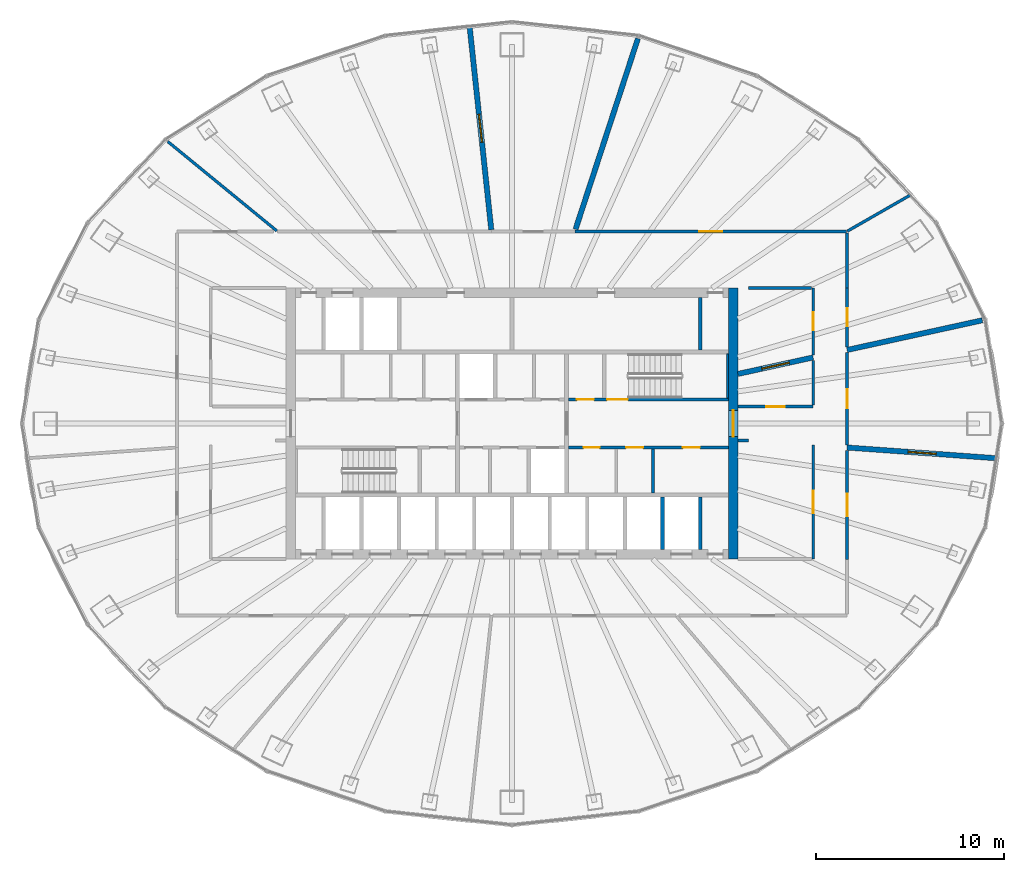
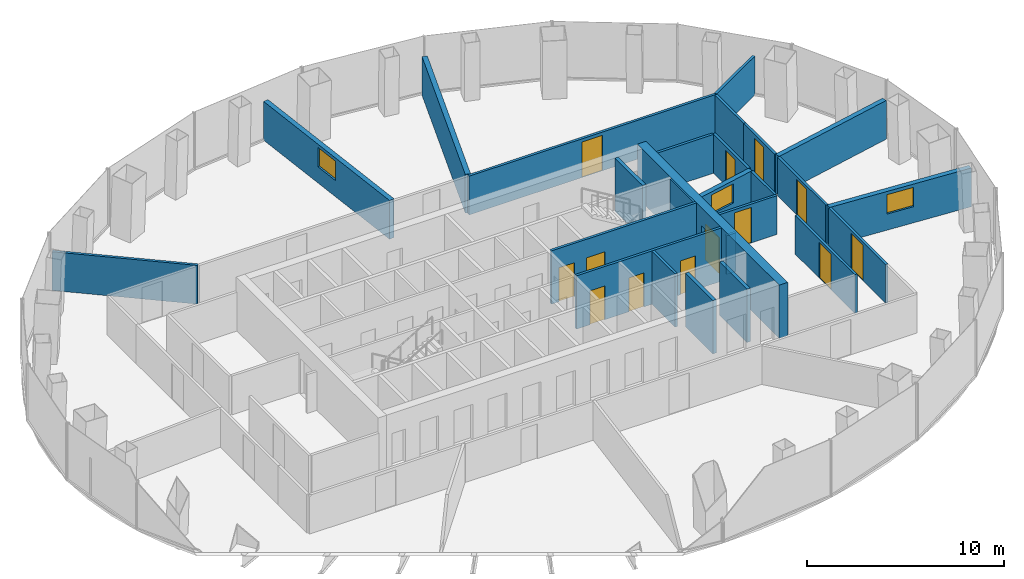
# One storey, part 10 of 12: 26 walls, 13 doors, 3 windows, 16 openings.
"""IFC4 building model written with IfcOpenShell, lengths in metres."""

from ifc_helpers import new_model, si_unit, direction, frame, frame_2d, origin, place, context, subcontext, project, spatial, rectangle, extrude, material, layer, layer_set, type_object, element, fill, save


model = new_model("IFC4")

# Units and contexts
model_context = context("Model", 3, precision=1e-05, world=origin(), true_north=direction((0.0, 1.0)))
body_context = subcontext(model_context, "Body", "Model", "MODEL_VIEW")
ifc_project = project(units=[si_unit("LENGTHUNIT", "METRE"), si_unit("AREAUNIT", "SQUARE_METRE"), si_unit("VOLUMEUNIT", "CUBIC_METRE"), si_unit("PLANEANGLEUNIT", "RADIAN"), si_unit("MASSUNIT", "GRAM", prefix="KILO")], contexts=[model_context])

# Site, building, storey
site_placement = place(None, origin())
site = spatial("IfcSite", under=ifc_project, at=site_placement, CompositionType="ELEMENT")
building_placement = place(site_placement, origin())
building = spatial("IfcBuilding", under=site, at=building_placement, Name="Siaravel Broadcast Tower", CompositionType="ELEMENT")
storey_placement = place(building_placement, frame((0.0, 0.0, 104.5)))
storey = spatial("IfcBuildingStorey", under=building, at=storey_placement, Name="L24", CompositionType="ELEMENT", Elevation=104.5)

# Wall, opening, window
ifc_material_1 = material(Name="Double-leaf acoustic partition", Category="gypsum")
ifc_layer_1 = layer(ifc_material_1, 0.280029296875)
ifc_layer_set_1 = layer_set([ifc_layer_1], Name="Double-leaf acoustic partition")
wall_type_1 = type_object("IfcWallType", Name="Acoustic double-leaf wall 280", PredefinedType="PARTITIONING", material=ifc_layer_set_1)
wall_1_placement = place(storey_placement, frame((-1.09912109375, 10.2919921875, 0.0), z_axis=(0.0, 0.0, 1.0), x_axis=(-0.106202827, 0.994344487, 0.0)))
wall_1 = element("IfcWall", 1, at=wall_1_placement, inside=storey, type_object=wall_type_1, Name="L24 partition 4", PredefinedType="PARTITIONING", context=body_context, shape_type="SweptSolid", body=[
    extrude(rectangle(XDim=10.857421875, YDim=0.280029296875, at=frame_2d((5.4287109375, 0.0))), origin(), (0.0, 0.0, 1.0), 2.39990234375),
])
opening_1_placement = place(wall_1_placement, frame((4.6787109375, 0.0, 1.0)))
opening_1 = element("IfcOpeningElement", 2, at=opening_1_placement, cuts=wall_1, Name="Opening L24-W03", PredefinedType="OPENING", context=body_context, shape_type="SweptSolid", body=[
    extrude(rectangle(XDim=1.5, YDim=1.199951171875, at=frame_2d((0.75, 0.60009765625))), frame((0.0, 0.14990234375, 0.0), z_axis=(0.0, -1.0, 0.0), x_axis=(1.0, 0.0, 0.0)), (0.0, 0.0, 1.0), 0.300048828125),
])
ifc_material_2 = material(Name="Laminated acoustic glass", Category="glass")
window_type = type_object("IfcWindowType", Name="Studio viewing window 1500", PartitioningType="SINGLE_PANEL", PredefinedType="WINDOW", material=ifc_material_2)
window_1_placement = place(opening_1_placement, origin())
window_1 = element("IfcWindow", 3, at=window_1_placement, inside=storey, type_object=window_type, Name="L24 viewing window to Viewing theatre", OverallHeight=1.199951171875, OverallWidth=1.5, PartitioningType="SINGLE_PANEL", PredefinedType="WINDOW", context=body_context, shape_type="SweptSolid", body=[
    extrude(rectangle(XDim=1.5, YDim=1.199951171875, at=frame_2d((0.75, 0.60009765625))), frame((0.0, 0.030029296875, 0.0), z_axis=(0.0, -1.0, 0.0), x_axis=(1.0, 0.0, 0.0)), (0.0, 0.0, 1.0), 0.06005859375),
])
fill(opening_1, window_1)

# Wall
wall_2_placement = place(storey_placement, frame((6.68896484375, 20.447998046875, 0.0), z_axis=(0.0, 0.0, 1.0), x_axis=(-0.310888923, -0.950446252, 0.0)))
element("IfcWall", 4, at=wall_2_placement, inside=storey, type_object=wall_type_1, Name="L24 partition 5", PredefinedType="PARTITIONING", context=body_context, shape_type="SweptSolid", body=[
    extrude(rectangle(XDim=10.65576171875, YDim=0.280029296875, at=frame_2d((5.327880859375, 0.0))), origin(), (0.0, 0.0, 1.0), 2.39990234375),
])

# Wall, opening, window
wall_3_placement = place(storey_placement, frame((25.77099609375, -1.8466796875, 0.0), z_axis=(0.0, 0.0, 1.0), x_axis=(-0.997443635, 0.071457645, 0.0)))
wall_3 = element("IfcWall", 5, at=wall_3_placement, inside=storey, type_object=wall_type_1, Name="L24 partition 12", PredefinedType="PARTITIONING", context=body_context, shape_type="SweptSolid", body=[
    extrude(rectangle(XDim=7.991455078125, YDim=0.280029296875, at=frame_2d((3.99560546875, 0.0))), origin(), (0.0, 0.0, 1.0), 2.39990234375),
])
opening_2_placement = place(wall_3_placement, frame((3.245849609375, 0.0, 1.0)))
opening_2 = element("IfcOpeningElement", 6, at=opening_2_placement, cuts=wall_3, Name="Opening L24-W02", PredefinedType="OPENING", context=body_context, shape_type="SweptSolid", body=[
    extrude(rectangle(XDim=1.5, YDim=1.199951171875, at=frame_2d((0.75, 0.60009765625))), frame((0.0, 0.14990234375, 0.0), z_axis=(0.0, -1.0, 0.0), x_axis=(1.0, 0.0, 0.0)), (0.0, 0.0, 1.0), 0.300048828125),
])
window_2_placement = place(opening_2_placement, origin())
window_2 = element("IfcWindow", 7, at=window_2_placement, inside=storey, type_object=window_type, Name="L24 viewing window to Viewing theatre", OverallHeight=1.199951171875, OverallWidth=1.5, PartitioningType="SINGLE_PANEL", PredefinedType="WINDOW", context=body_context, shape_type="SweptSolid", body=[
    extrude(rectangle(XDim=1.5, YDim=1.199951171875, at=frame_2d((0.75, 0.60009765625))), frame((0.0, 0.030029296875, 0.0), z_axis=(0.0, -1.0, 0.0), x_axis=(1.0, 0.0, 0.0)), (0.0, 0.0, 1.0), 0.06005859375),
])
fill(opening_2, window_2)

# Wall
wall_4_placement = place(storey_placement, frame((24.985595703125, 5.48388671875, 0.0), z_axis=(0.0, 0.0, 1.0), x_axis=(-0.976749089, -0.214385673, 0.0)))
element("IfcWall", 8, at=wall_4_placement, inside=storey, type_object=wall_type_1, Name="L24 partition 16", PredefinedType="PARTITIONING", context=body_context, shape_type="SweptSolid", body=[
    extrude(rectangle(XDim=7.356689453125, YDim=0.280029296875, at=frame_2d((3.67822265625, 0.0))), origin(), (0.0, 0.0, 1.0), 2.39990234375),
])

# Wall, opening, window
wall_5_placement = place(storey_placement, frame((16.0, 3.51171875, 0.0), z_axis=(0.0, 0.0, 1.0), x_axis=(-0.976750433, -0.214379551, 0.0)))
wall_5 = element("IfcWall", 9, at=wall_5_placement, inside=storey, type_object=wall_type_1, Name="L24 partition 25", PredefinedType="PARTITIONING", context=body_context, shape_type="SweptSolid", body=[
    extrude(rectangle(XDim=4.09521484375, YDim=0.280029296875, at=frame_2d((2.047607421875, 0.0))), origin(), (0.0, 0.0, 1.0), 2.39990234375),
])
opening_3_placement = place(wall_5_placement, frame((1.297607421875, 0.0, 1.0)))
opening_3 = element("IfcOpeningElement", 10, at=opening_3_placement, cuts=wall_5, Name="Opening L24-W01", PredefinedType="OPENING", context=body_context, shape_type="SweptSolid", body=[
    extrude(rectangle(XDim=1.5, YDim=1.199951171875, at=frame_2d((0.75, 0.60009765625))), frame((0.0, 0.14990234375, 0.0), z_axis=(0.0, -1.0, 0.0), x_axis=(1.0, 0.0, 0.0)), (0.0, 0.0, 1.0), 0.300048828125),
])
window_3_placement = place(opening_3_placement, origin())
window_3 = element("IfcWindow", 11, at=window_3_placement, inside=storey, type_object=window_type, Name="L24 viewing window to Viewing theatre", OverallHeight=1.199951171875, OverallWidth=1.5, PartitioningType="SINGLE_PANEL", PredefinedType="WINDOW", context=body_context, shape_type="SweptSolid", body=[
    extrude(rectangle(XDim=1.5, YDim=1.199951171875, at=frame_2d((0.75, 0.60009765625))), frame((0.0, 0.030029296875, 0.0), z_axis=(0.0, -1.0, 0.0), x_axis=(1.0, 0.0, 0.0)), (0.0, 0.0, 1.0), 0.06005859375),
])
fill(opening_3, window_3)

# Wall
ifc_material_3 = material(Name="Concrete blockwork", Category="masonry")
ifc_layer_2 = layer(ifc_material_3, 0.14990234375)
ifc_layer_set_2 = layer_set([ifc_layer_2], Name="Concrete blockwork")
wall_type_2 = type_object("IfcWallType", Name="Core partition 150", PredefinedType="PARTITIONING", material=ifc_layer_set_2)
wall_6_placement = place(storey_placement, frame((7.489013671875, -3.699951171875, 0.0), z_axis=(0.0, 0.0, 1.0), x_axis=(0.0, 1.0, 0.0)))
element("IfcWall", 12, at=wall_6_placement, inside=storey, type_object=wall_type_2, Name="L24 core partition PSE1", PredefinedType="PARTITIONING", context=body_context, shape_type="SweptSolid", body=[
    extrude(rectangle(XDim=2.349853515625, YDim=0.14990234375, at=frame_2d((1.1748046875, 0.0))), origin(), (0.0, 0.0, 1.0), 3.300048828125),
])

# Wall, opening, door
ifc_material_4 = material(Name="Concrete C60/75", Category="concrete")
ifc_layer_3 = layer(ifc_material_4, 0.5)
ifc_layer_set_3 = layer_set([ifc_layer_3], Name="Concrete C60/75")
wall_type_3 = type_object("IfcWallType", Name="Core wall 500", PredefinedType="SHEAR", material=ifc_layer_set_3)
wall_7_placement = place(storey_placement, frame((11.75, -7.199951171875, 0.0), z_axis=(0.0, 0.0, 1.0), x_axis=(0.0, 1.0, 0.0)))
wall_7 = element("IfcWall", 13, at=wall_7_placement, inside=storey, type_object=wall_type_3, Name="L24 core wall OE", PredefinedType="SHEAR", context=body_context, shape_type="SweptSolid", body=[
    extrude(rectangle(XDim=14.39990234375, YDim=0.5, at=frame_2d((7.199951171875, 0.0))), origin(), (0.0, 0.0, 1.0), 3.300048828125),
])
opening_4_placement = place(wall_7_placement, frame((6.5, 0.0, 0.0)))
opening_4 = element("IfcOpeningElement", 14, at=opening_4_placement, cuts=wall_7, Name="Opening L24-DX-E", PredefinedType="OPENING", context=body_context, shape_type="SweptSolid", body=[
    extrude(rectangle(XDim=1.39990234375, YDim=2.199951171875, at=frame_2d((0.699951171875, 1.10009765625))), frame((0.0, 0.260009765625, 0.0), z_axis=(0.0, -1.0, 0.0), x_axis=(1.0, 0.0, 0.0)), (0.0, 0.0, 1.0), 0.52001953125),
])
ifc_material_5 = material(Name="Steel", Category="steel")
door_type_1 = type_object("IfcDoorType", Name="Core exit door 1400", OperationType="DOUBLE_DOOR_SINGLE_SWING", PredefinedType="DOOR", material=ifc_material_5)
door_1_placement = place(opening_4_placement, origin())
door_1 = element("IfcDoor", 15, at=door_1_placement, inside=storey, type_object=door_type_1, Name="L24 door DX-E", OperationType="DOUBLE_DOOR_SINGLE_SWING", OverallHeight=2.199951171875, OverallWidth=1.39990234375, PredefinedType="DOOR", context=body_context, shape_type="SweptSolid", body=[
    extrude(rectangle(XDim=1.39990234375, YDim=2.199951171875, at=frame_2d((0.699951171875, 1.10009765625))), frame((0.0, 0.02490234375, 0.0), z_axis=(0.0, -1.0, 0.0), x_axis=(1.0, 0.0, 0.0)), (0.0, 0.0, 1.0), 0.050048828125),
])
fill(opening_4, door_1)

# Wall, openings, doors
ifc_material_6 = material(Name="Gypsum board partition", Category="gypsum")
ifc_layer_4 = layer(ifc_material_6, 0.14990234375)
ifc_layer_set_4 = layer_set([ifc_layer_4], Name="Gypsum board partition")
wall_type_4 = type_object("IfcWallType", Name="Corridor wall 150", PredefinedType="PARTITIONING", material=ifc_layer_set_4)
wall_8_placement = place(storey_placement, frame((3.0, -1.27490234375, 0.0), z_axis=(0.0, 0.0, 1.0), x_axis=(1.0, 0.0, 0.0)))
wall_8 = element("IfcWall", 16, at=wall_8_placement, inside=storey, type_object=wall_type_4, Name="L24 core partition CSE", PredefinedType="PARTITIONING", context=body_context, shape_type="SweptSolid", body=[
    extrude(rectangle(XDim=8.5, YDim=0.14990234375, at=frame_2d((4.25, 0.0))), origin(), (0.0, 0.0, 1.0), 3.300048828125),
])
opening_5_placement = place(wall_8_placement, frame((0.804931640625, 0.0, 0.0)))
opening_5 = element("IfcOpeningElement", 17, at=opening_5_placement, cuts=wall_8, Name="Opening L24-DSE0", PredefinedType="OPENING", context=body_context, shape_type="SweptSolid", body=[
    extrude(rectangle(XDim=0.85009765625, YDim=2.10009765625, at=frame_2d((0.425048828125, 1.050048828125))), frame((0.0, 0.0849609375, 0.0), z_axis=(0.0, -1.0, 0.0), x_axis=(1.0, 0.0, 0.0)), (0.0, 0.0, 1.0), 0.169921875),
])
opening_6_placement = place(wall_8_placement, frame((3.06201171875, 0.0, 0.0)))
opening_6 = element("IfcOpeningElement", 18, at=opening_6_placement, cuts=wall_8, Name="Opening L24-DSE1", PredefinedType="OPENING", context=body_context, shape_type="SweptSolid", body=[
    extrude(rectangle(XDim=0.89990234375, YDim=2.10009765625, at=frame_2d((0.449951171875, 1.050048828125))), frame((0.0, 0.0849609375, 0.0), z_axis=(0.0, -1.0, 0.0), x_axis=(1.0, 0.0, 0.0)), (0.0, 0.0, 1.0), 0.169921875),
])
opening_7_placement = place(wall_8_placement, frame((6.08203125, 0.0, 0.0)))
opening_7 = element("IfcOpeningElement", 19, at=opening_7_placement, cuts=wall_8, Name="Opening L24-DSE2", PredefinedType="OPENING", context=body_context, shape_type="SweptSolid", body=[
    extrude(rectangle(XDim=0.89990234375, YDim=2.10009765625, at=frame_2d((0.449951171875, 1.050048828125))), frame((0.0, 0.0849609375, 0.0), z_axis=(0.0, -1.0, 0.0), x_axis=(1.0, 0.0, 0.0)), (0.0, 0.0, 1.0), 0.169921875),
])
ifc_material_7 = material(Name="Timber veneer", Category="wood")
door_type_2 = type_object("IfcDoorType", Name="Core room door 900", OperationType="SINGLE_SWING_LEFT", PredefinedType="DOOR", material=ifc_material_7)
door_2_placement = place(opening_6_placement, origin())
door_2 = element("IfcDoor", 20, at=door_2_placement, inside=storey, type_object=door_type_2, Name="L24 door DSE1", OperationType="SINGLE_SWING_LEFT", OverallHeight=2.10009765625, OverallWidth=0.89990234375, PredefinedType="DOOR", context=body_context, shape_type="SweptSolid", body=[
    extrude(rectangle(XDim=0.89990234375, YDim=2.10009765625, at=frame_2d((0.449951171875, 1.050048828125))), frame((0.0, 0.02490234375, 0.0), z_axis=(0.0, -1.0, 0.0), x_axis=(1.0, 0.0, 0.0)), (0.0, 0.0, 1.0), 0.050048828125),
])
fill(opening_6, door_2)
door_3_placement = place(opening_7_placement, origin())
door_3 = element("IfcDoor", 21, at=door_3_placement, inside=storey, type_object=door_type_2, Name="L24 door DSE2", OperationType="SINGLE_SWING_LEFT", OverallHeight=2.10009765625, OverallWidth=0.89990234375, PredefinedType="DOOR", context=body_context, shape_type="SweptSolid", body=[
    extrude(rectangle(XDim=0.89990234375, YDim=2.10009765625, at=frame_2d((0.449951171875, 1.050048828125))), frame((0.0, 0.02490234375, 0.0), z_axis=(0.0, -1.0, 0.0), x_axis=(1.0, 0.0, 0.0)), (0.0, 0.0, 1.0), 0.050048828125),
])
fill(opening_7, door_3)
door_type_3 = type_object("IfcDoorType", Name="Core toilet door 850", OperationType="SINGLE_SWING_LEFT", PredefinedType="DOOR", material=ifc_material_7)
door_4_placement = place(opening_5_placement, origin())
door_4 = element("IfcDoor", 22, at=door_4_placement, inside=storey, type_object=door_type_3, Name="L24 door DSE0", OperationType="SINGLE_SWING_LEFT", OverallHeight=2.10009765625, OverallWidth=0.85009765625, PredefinedType="DOOR", context=body_context, shape_type="SweptSolid", body=[
    extrude(rectangle(XDim=0.85009765625, YDim=2.10009765625, at=frame_2d((0.425048828125, 1.050048828125))), frame((0.0, 0.02490234375, 0.0), z_axis=(0.0, -1.0, 0.0), x_axis=(1.0, 0.0, 0.0)), (0.0, 0.0, 1.0), 0.050048828125),
])
fill(opening_5, door_4)

# Wall, opening, door
wall_9_placement = place(storey_placement, frame((17.783935546875, 10.199951171875, 0.0), z_axis=(0.0, 0.0, 1.0), x_axis=(-1.0, 0.0, 0.0)))
wall_9 = element("IfcWall", 23, at=wall_9_placement, inside=storey, type_object=wall_type_4, Name="L24 partition 1", PredefinedType="PARTITIONING", context=body_context, shape_type="SweptSolid", body=[
    extrude(rectangle(XDim=14.447265625, YDim=0.14990234375, at=frame_2d((7.2236328125, 0.0))), origin(), (0.0, 0.0, 1.0), 2.39990234375),
])
opening_8_placement = place(wall_9_placement, frame((6.623779296875, 0.0, 0.0)))
opening_8 = element("IfcOpeningElement", 24, at=opening_8_placement, cuts=wall_9, Name="Opening L24-017", PredefinedType="OPENING", context=body_context, shape_type="SweptSolid", body=[
    extrude(rectangle(XDim=1.199951171875, YDim=2.199951171875, at=frame_2d((0.60009765625, 1.10009765625))), frame((0.0, 0.0849609375, 0.0), z_axis=(0.0, -1.0, 0.0), x_axis=(1.0, 0.0, 0.0)), (0.0, 0.0, 1.0), 0.169921875),
])
door_type_4 = type_object("IfcDoorType", Name="Office double door 1200", OperationType="DOUBLE_DOOR_SINGLE_SWING", PredefinedType="DOOR", material=ifc_material_7)
door_5_placement = place(opening_8_placement, origin())
door_5 = element("IfcDoor", 25, at=door_5_placement, inside=storey, type_object=door_type_4, Name="L24 door to Open plan production office", OperationType="DOUBLE_DOOR_SINGLE_SWING", OverallHeight=2.199951171875, OverallWidth=1.199951171875, PredefinedType="DOOR", context=body_context, shape_type="SweptSolid", body=[
    extrude(rectangle(XDim=1.199951171875, YDim=2.199951171875, at=frame_2d((0.60009765625, 1.10009765625))), frame((0.0, 0.02490234375, 0.0), z_axis=(0.0, -1.0, 0.0), x_axis=(1.0, 0.0, 0.0)), (0.0, 0.0, 1.0), 0.050048828125),
])
fill(opening_8, door_5)

wall_10_placement = place(storey_placement, frame((16.0, -1.146484375, 0.0), z_axis=(0.0, 0.0, 1.0), x_axis=(0.0, -1.0, 0.0)))
wall_10 = element("IfcWall", 26, at=wall_10_placement, inside=storey, type_object=wall_type_4, Name="L24 partition 19", PredefinedType="PARTITIONING", context=body_context, shape_type="SweptSolid", body=[
    extrude(rectangle(XDim=6.053466796875, YDim=0.14990234375, at=frame_2d((3.02685546875, 0.0))), origin(), (0.0, 0.0, 1.0), 2.39990234375),
])
opening_9_placement = place(wall_10_placement, frame((2.4267578125, 0.0, 0.0)))
opening_9 = element("IfcOpeningElement", 27, at=opening_9_placement, cuts=wall_10, Name="Opening L24-010", PredefinedType="OPENING", context=body_context, shape_type="SweptSolid", body=[
    extrude(rectangle(XDim=1.199951171875, YDim=2.199951171875, at=frame_2d((0.60009765625, 1.10009765625))), frame((0.0, 0.0849609375, 0.0), z_axis=(0.0, -1.0, 0.0), x_axis=(1.0, 0.0, 0.0)), (0.0, 0.0, 1.0), 0.169921875),
])
door_6_placement = place(opening_9_placement, origin())
door_6 = element("IfcDoor", 28, at=door_6_placement, inside=storey, type_object=door_type_4, Name="L24 door to Open plan production office", OperationType="DOUBLE_DOOR_SINGLE_SWING", OverallHeight=2.199951171875, OverallWidth=1.199951171875, PredefinedType="DOOR", context=body_context, shape_type="SweptSolid", body=[
    extrude(rectangle(XDim=1.199951171875, YDim=2.199951171875, at=frame_2d((0.60009765625, 1.10009765625))), frame((0.0, 0.02490234375, 0.0), z_axis=(0.0, -1.0, 0.0), x_axis=(1.0, 0.0, 0.0)), (0.0, 0.0, 1.0), 0.050048828125),
])
fill(opening_9, door_6)

wall_11_placement = place(storey_placement, frame((17.800048828125, -7.2119140625, 0.0), z_axis=(0.0, 0.0, 1.0), x_axis=(0.0, 1.0, 0.0)))
wall_11 = element("IfcWall", 29, at=wall_11_placement, inside=storey, type_object=wall_type_4, Name="L24 partition 21", PredefinedType="PARTITIONING", context=body_context, shape_type="SweptSolid", body=[
    extrude(rectangle(XDim=5.78857421875, YDim=0.14990234375, at=frame_2d((2.894287109375, 0.0))), origin(), (0.0, 0.0, 1.0), 2.39990234375),
])
opening_10_placement = place(wall_11_placement, frame((2.294189453125, 0.0, 0.0)))
opening_10 = element("IfcOpeningElement", 30, at=opening_10_placement, cuts=wall_11, Name="Opening L24-012", PredefinedType="OPENING", context=body_context, shape_type="SweptSolid", body=[
    extrude(rectangle(XDim=1.199951171875, YDim=2.199951171875, at=frame_2d((0.60009765625, 1.10009765625))), frame((0.0, 0.0849609375, 0.0), z_axis=(0.0, -1.0, 0.0), x_axis=(1.0, 0.0, 0.0)), (0.0, 0.0, 1.0), 0.169921875),
])
door_7_placement = place(opening_10_placement, origin())
door_7 = element("IfcDoor", 31, at=door_7_placement, inside=storey, type_object=door_type_4, Name="L24 door to Open plan production office", OperationType="DOUBLE_DOOR_SINGLE_SWING", OverallHeight=2.199951171875, OverallWidth=1.199951171875, PredefinedType="DOOR", context=body_context, shape_type="SweptSolid", body=[
    extrude(rectangle(XDim=1.199951171875, YDim=2.199951171875, at=frame_2d((0.60009765625, 1.10009765625))), frame((0.0, 0.02490234375, 0.0), z_axis=(0.0, -1.0, 0.0), x_axis=(1.0, 0.0, 0.0)), (0.0, 0.0, 1.0), 0.050048828125),
])
fill(opening_10, door_7)

wall_12_placement = place(storey_placement, frame((17.800048828125, -1.134033203125, 0.0), z_axis=(0.0, 0.0, 1.0), x_axis=(0.0, 1.0, 0.0)))
wall_12 = element("IfcWall", 32, at=wall_12_placement, inside=storey, type_object=wall_type_4, Name="L24 partition 23", PredefinedType="PARTITIONING", context=body_context, shape_type="SweptSolid", body=[
    extrude(rectangle(XDim=4.902099609375, YDim=0.14990234375, at=frame_2d((2.451171875, 0.0))), origin(), (0.0, 0.0, 1.0), 2.39990234375),
])
opening_11_placement = place(wall_12_placement, frame((1.950927734375, 0.0, 0.0)))
opening_11 = element("IfcOpeningElement", 33, at=opening_11_placement, cuts=wall_12, Name="Opening L24-014", PredefinedType="OPENING", context=body_context, shape_type="SweptSolid", body=[
    extrude(rectangle(XDim=1.0, YDim=2.199951171875, at=frame_2d((0.5, 1.10009765625))), frame((0.0, 0.0849609375, 0.0), z_axis=(0.0, -1.0, 0.0), x_axis=(1.0, 0.0, 0.0)), (0.0, 0.0, 1.0), 0.169921875),
])
ifc_material_8 = material(Name="Acoustic timber and steel", Category="steel")
door_type_5 = type_object("IfcDoorType", Name="Acoustic door 1000", OperationType="SINGLE_SWING_LEFT", PredefinedType="DOOR", material=ifc_material_8)
door_8_placement = place(opening_11_placement, origin())
door_8 = element("IfcDoor", 34, at=door_8_placement, inside=storey, type_object=door_type_5, Name="L24 door to Viewing theatre", OperationType="SINGLE_SWING_RIGHT", OverallHeight=2.199951171875, OverallWidth=1.0, PredefinedType="DOOR", context=body_context, shape_type="SweptSolid", body=[
    extrude(rectangle(XDim=1.0, YDim=2.199951171875, at=frame_2d((0.5, 1.10009765625))), frame((0.0, 0.02490234375, 0.0), z_axis=(0.0, -1.0, 0.0), x_axis=(1.0, 0.0, 0.0)), (0.0, 0.0, 1.0), 0.050048828125),
])
fill(opening_11, door_8)

wall_13_placement = place(storey_placement, frame((16.0, 0.89990234375, 0.0), z_axis=(0.0, 0.0, 1.0), x_axis=(-1.0, 0.0, 0.0)))
wall_13 = element("IfcWall", 35, at=wall_13_placement, inside=storey, type_object=wall_type_4, Name="L24 partition 30", PredefinedType="PARTITIONING", context=body_context, shape_type="SweptSolid", body=[
    extrude(rectangle(XDim=4.0, YDim=0.14990234375, at=frame_2d((2.0, 0.0))), origin(), (0.0, 0.0, 1.0), 2.39990234375),
])
opening_12_placement = place(wall_13_placement, frame((1.5, 0.0, 0.0)))
opening_12 = element("IfcOpeningElement", 36, at=opening_12_placement, cuts=wall_13, Name="Opening L24-013", PredefinedType="OPENING", context=body_context, shape_type="SweptSolid", body=[
    extrude(rectangle(XDim=1.0, YDim=2.199951171875, at=frame_2d((0.5, 1.10009765625))), frame((0.0, 0.0849609375, 0.0), z_axis=(0.0, -1.0, 0.0), x_axis=(1.0, 0.0, 0.0)), (0.0, 0.0, 1.0), 0.169921875),
])
door_9_placement = place(opening_12_placement, origin())
door_9 = element("IfcDoor", 37, at=door_9_placement, inside=storey, type_object=door_type_5, Name="L24 door to Viewing theatre", OperationType="SINGLE_SWING_LEFT", OverallHeight=2.199951171875, OverallWidth=1.0, PredefinedType="DOOR", context=body_context, shape_type="SweptSolid", body=[
    extrude(rectangle(XDim=1.0, YDim=2.199951171875, at=frame_2d((0.5, 1.10009765625))), frame((0.0, 0.02490234375, 0.0), z_axis=(0.0, -1.0, 0.0), x_axis=(1.0, 0.0, 0.0)), (0.0, 0.0, 1.0), 0.050048828125),
])
fill(opening_12, door_9)

wall_14_placement = place(storey_placement, frame((16.0, 7.199951171875, 0.0), z_axis=(0.0, 0.0, 1.0), x_axis=(0.0, -1.0, 0.0)))
wall_14 = element("IfcWall", 38, at=wall_14_placement, inside=storey, type_object=wall_type_4, Name="L24 partition 32", PredefinedType="PARTITIONING", context=body_context, shape_type="SweptSolid", body=[
    extrude(rectangle(XDim=3.549560546875, YDim=0.14990234375, at=frame_2d((1.77490234375, 0.0))), origin(), (0.0, 0.0, 1.0), 2.39990234375),
])
opening_13_placement = place(wall_14_placement, frame((1.2998046875, 0.0, 0.0)))
opening_13 = element("IfcOpeningElement", 39, at=opening_13_placement, cuts=wall_14, Name="Opening L24-015", PredefinedType="OPENING", context=body_context, shape_type="SweptSolid", body=[
    extrude(rectangle(XDim=0.949951171875, YDim=2.14990234375, at=frame_2d((0.47509765625, 1.074951171875))), frame((0.0, 0.0849609375, 0.0), z_axis=(0.0, -1.0, 0.0), x_axis=(1.0, 0.0, 0.0)), (0.0, 0.0, 1.0), 0.169921875),
])
door_type_6 = type_object("IfcDoorType", Name="Office door 950", OperationType="SINGLE_SWING_LEFT", PredefinedType="DOOR", material=ifc_material_7)
door_10_placement = place(opening_13_placement, origin())
door_10 = element("IfcDoor", 40, at=door_10_placement, inside=storey, type_object=door_type_6, Name="L24 door to Production office", OperationType="SINGLE_SWING_LEFT", OverallHeight=2.14990234375, OverallWidth=0.949951171875, PredefinedType="DOOR", context=body_context, shape_type="SweptSolid", body=[
    extrude(rectangle(XDim=0.949951171875, YDim=2.14990234375, at=frame_2d((0.47509765625, 1.074951171875))), frame((0.0, 0.02490234375, 0.0), z_axis=(0.0, -1.0, 0.0), x_axis=(1.0, 0.0, 0.0)), (0.0, 0.0, 1.0), 0.050048828125),
])
fill(opening_13, door_10)

# Wall
wall_15_placement = place(storey_placement, frame((12.553466796875, 7.199951171875, 0.0), z_axis=(0.0, 0.0, 1.0), x_axis=(1.0, 0.0, 0.0)))
element("IfcWall", 41, at=wall_15_placement, inside=storey, type_object=wall_type_4, Name="L24 partition 33", PredefinedType="PARTITIONING", context=body_context, shape_type="SweptSolid", body=[
    extrude(rectangle(XDim=3.36962890625, YDim=0.14990234375, at=frame_2d((1.684814453125, 0.0))), origin(), (0.0, 0.0, 1.0), 2.39990234375),
])

# Wall, opening, door
wall_16_placement = place(storey_placement, frame((17.800048828125, 4.068603515625, 0.0), z_axis=(0.0, 0.0, 1.0), x_axis=(0.0, 1.0, 0.0)))
wall_16 = element("IfcWall", 42, at=wall_16_placement, inside=storey, type_object=wall_type_4, Name="L24 partition 34", PredefinedType="PARTITIONING", context=body_context, shape_type="SweptSolid", body=[
    extrude(rectangle(XDim=3.143310546875, YDim=0.14990234375, at=frame_2d((1.57177734375, 0.0))), origin(), (0.0, 0.0, 1.0), 2.39990234375),
])
opening_14_placement = place(wall_16_placement, frame((1.0966796875, 0.0, 0.0)))
opening_14 = element("IfcOpeningElement", 43, at=opening_14_placement, cuts=wall_16, Name="Opening L24-016", PredefinedType="OPENING", context=body_context, shape_type="SweptSolid", body=[
    extrude(rectangle(XDim=0.949951171875, YDim=2.14990234375, at=frame_2d((0.47509765625, 1.074951171875))), frame((0.0, 0.0849609375, 0.0), z_axis=(0.0, -1.0, 0.0), x_axis=(1.0, 0.0, 0.0)), (0.0, 0.0, 1.0), 0.169921875),
])
door_11_placement = place(opening_14_placement, origin())
door_11 = element("IfcDoor", 44, at=door_11_placement, inside=storey, type_object=door_type_6, Name="L24 door to Production office", OperationType="SINGLE_SWING_RIGHT", OverallHeight=2.14990234375, OverallWidth=0.949951171875, PredefinedType="DOOR", context=body_context, shape_type="SweptSolid", body=[
    extrude(rectangle(XDim=0.949951171875, YDim=2.14990234375, at=frame_2d((0.47509765625, 1.074951171875))), frame((0.0, 0.02490234375, 0.0), z_axis=(0.0, -1.0, 0.0), x_axis=(1.0, 0.0, 0.0)), (0.0, 0.0, 1.0), 0.050048828125),
])
fill(opening_14, door_11)

# Walls
wall_17_placement = place(storey_placement, frame((17.800048828125, 7.212890625, 0.0), z_axis=(0.0, 0.0, 1.0), x_axis=(0.0, 1.0, 0.0)))
element("IfcWall", 45, at=wall_17_placement, inside=storey, type_object=wall_type_4, Name="L24 partition 35", PredefinedType="PARTITIONING", context=body_context, shape_type="SweptSolid", body=[
    extrude(rectangle(XDim=2.91015625, YDim=0.14990234375, at=frame_2d((1.455078125, 0.0))), origin(), (0.0, 0.0, 1.0), 2.39990234375),
])
wall_18_placement = place(storey_placement, frame((16.0, 3.349853515625, 0.0), z_axis=(0.0, 0.0, 1.0), x_axis=(0.0, -1.0, 0.0)))
element("IfcWall", 46, at=wall_18_placement, inside=storey, type_object=wall_type_4, Name="L24 partition 39", PredefinedType="PARTITIONING", context=body_context, shape_type="SweptSolid", body=[
    extrude(rectangle(XDim=2.372802734375, YDim=0.14990234375, at=frame_2d((1.1865234375, 0.0))), origin(), (0.0, 0.0, 1.0), 2.39990234375),
])
wall_19_placement = place(storey_placement, frame((12.0, -0.89990234375, 0.0), z_axis=(0.0, 0.0, 1.0), x_axis=(1.0, 0.0, 0.0)))
element("IfcWall", 47, at=wall_19_placement, inside=storey, type_object=wall_type_4, Name="L24 partition 41", PredefinedType="PARTITIONING", context=body_context, shape_type="SweptSolid", body=[
    extrude(rectangle(XDim=0.558837890625, YDim=0.14990234375, at=frame_2d((0.279296875, 0.0))), origin(), (0.0, 0.0, 1.0), 2.39990234375),
])
ifc_layer_5 = layer(ifc_material_6, 0.14990234375)
ifc_layer_set_5 = layer_set([ifc_layer_5], Name="Gypsum board partition")
wall_type_5 = type_object("IfcWallType", Name="Room partition 150", PredefinedType="PARTITIONING", material=ifc_layer_set_5)
wall_20_placement = place(storey_placement, frame((-18.283447265625, 14.976318359375, 0.0), z_axis=(0.0, 0.0, 1.0), x_axis=(0.773592541, -0.633683344, 0.0)))
element("IfcWall", 48, at=wall_20_placement, inside=storey, type_object=wall_type_5, Name="L24 partition 15", PredefinedType="PARTITIONING", context=body_context, shape_type="SweptSolid", body=[
    extrude(rectangle(XDim=7.48779296875, YDim=0.14990234375, at=frame_2d((3.743896484375, 0.0))), origin(), (0.0, 0.0, 1.0), 2.39990234375),
])
wall_21_placement = place(storey_placement, frame((21.1826171875, 12.149169921875, 0.0), z_axis=(0.0, 0.0, 1.0), x_axis=(-0.867451833, -0.497521173, 0.0)))
element("IfcWall", 49, at=wall_21_placement, inside=storey, type_object=wall_type_5, Name="L24 partition 31", PredefinedType="PARTITIONING", context=body_context, shape_type="SweptSolid", body=[
    extrude(rectangle(XDim=3.878662109375, YDim=0.14990234375, at=frame_2d((1.939453125, 0.0))), origin(), (0.0, 0.0, 1.0), 2.39990234375),
])
ifc_layer_6 = layer(ifc_material_4, 0.10009765625)
ifc_layer_set_6 = layer_set([ifc_layer_6], Name="Concrete C60/75")
wall_type_6 = type_object("IfcWallType", Name="Shaft wall 100", PredefinedType="SHEAR", material=ifc_layer_set_6)
wall_22_placement = place(storey_placement, frame((11.449951171875, 1.35009765625, 0.0), z_axis=(0.0, 0.0, 1.0), x_axis=(0.0, 1.0, 0.0)))
element("IfcWall", 50, at=wall_22_placement, inside=storey, type_object=wall_type_6, Name="L24 core wall ST2E", PredefinedType="SHEAR", context=body_context, shape_type="SweptSolid", body=[
    extrude(rectangle(XDim=2.349853515625, YDim=0.10009765625, at=frame_2d((1.1748046875, 0.0))), origin(), (0.0, 0.0, 1.0), 3.300048828125),
])

# Wall, openings, doors
ifc_layer_7 = layer(ifc_material_4, 0.14990234375)
ifc_layer_set_7 = layer_set([ifc_layer_7], Name="Concrete C60/75")
wall_type_7 = type_object("IfcWallType", Name="Shaft wall 150", PredefinedType="SHEAR", material=ifc_layer_set_7)
wall_23_placement = place(storey_placement, frame((3.0, 1.27490234375, 0.0), z_axis=(0.0, 0.0, 1.0), x_axis=(1.0, 0.0, 0.0)))
wall_23 = element("IfcWall", 51, at=wall_23_placement, inside=storey, type_object=wall_type_7, Name="L24 core wall CNE", PredefinedType="SHEAR", context=body_context, shape_type="SweptSolid", body=[
    extrude(rectangle(XDim=8.5, YDim=0.14990234375, at=frame_2d((4.25, 0.0))), origin(), (0.0, 0.0, 1.0), 3.300048828125),
])
opening_15_placement = place(wall_23_placement, frame((2.050048828125, 0.0, 0.0)))
opening_15 = element("IfcOpeningElement", 52, at=opening_15_placement, cuts=wall_23, Name="Opening L24-DS-2", PredefinedType="OPENING", context=body_context, shape_type="SweptSolid", body=[
    extrude(rectangle(XDim=1.10009765625, YDim=2.14990234375, at=frame_2d((0.550048828125, 1.074951171875))), frame((0.0, 0.0849609375, 0.0), z_axis=(0.0, -1.0, 0.0), x_axis=(1.0, 0.0, 0.0)), (0.0, 0.0, 1.0), 0.169921875),
])
opening_16_placement = place(wall_23_placement, frame((0.449951171875, 0.0, 0.0)))
opening_16 = element("IfcOpeningElement", 53, at=opening_16_placement, cuts=wall_23, Name="Opening L24-DNE0", PredefinedType="OPENING", context=body_context, shape_type="SweptSolid", body=[
    extrude(rectangle(XDim=0.89990234375, YDim=2.10009765625, at=frame_2d((0.449951171875, 1.050048828125))), frame((0.0, 0.0849609375, 0.0), z_axis=(0.0, -1.0, 0.0), x_axis=(1.0, 0.0, 0.0)), (0.0, 0.0, 1.0), 0.169921875),
])
door_12_placement = place(opening_16_placement, origin())
door_12 = element("IfcDoor", 54, at=door_12_placement, inside=storey, type_object=door_type_2, Name="L24 door DNE0", OperationType="SINGLE_SWING_LEFT", OverallHeight=2.10009765625, OverallWidth=0.89990234375, PredefinedType="DOOR", context=body_context, shape_type="SweptSolid", body=[
    extrude(rectangle(XDim=0.89990234375, YDim=2.10009765625, at=frame_2d((0.449951171875, 1.050048828125))), frame((0.0, 0.02490234375, 0.0), z_axis=(0.0, -1.0, 0.0), x_axis=(1.0, 0.0, 0.0)), (0.0, 0.0, 1.0), 0.050048828125),
])
fill(opening_16, door_12)
door_type_7 = type_object("IfcDoorType", Name="Stair door 1100", OperationType="SINGLE_SWING_LEFT", PredefinedType="DOOR", material=ifc_material_5)
door_13_placement = place(opening_15_placement, origin())
door_13 = element("IfcDoor", 55, at=door_13_placement, inside=storey, type_object=door_type_7, Name="L24 door DS-2", OperationType="SINGLE_SWING_LEFT", OverallHeight=2.14990234375, OverallWidth=1.10009765625, PredefinedType="DOOR", context=body_context, shape_type="SweptSolid", body=[
    extrude(rectangle(XDim=1.10009765625, YDim=2.14990234375, at=frame_2d((0.550048828125, 1.074951171875))), frame((0.0, 0.02490234375, 0.0), z_axis=(0.0, -1.0, 0.0), x_axis=(1.0, 0.0, 0.0)), (0.0, 0.0, 1.0), 0.050048828125),
])
fill(opening_15, door_13)

# Walls
ifc_layer_8 = layer(ifc_material_4, 0.199951171875)
ifc_layer_set_8 = layer_set([ifc_layer_8], Name="Concrete C60/75")
wall_type_8 = type_object("IfcWallType", Name="Shaft wall 200", PredefinedType="SHEAR", material=ifc_layer_set_8)
for number, where, z_axis, x_axis, name in (
    (56, (8.0, -6.699951171875, 0.0), (0.0, 0.0, 1.0), (0.0, 1.0, 0.0), "L24 core wall SWS9"),
    (57, (10.0, -6.699951171875, 0.0), (0.0, 0.0, 1.0), (0.0, 1.0, 0.0), "L24 core wall SWS10"),
    (58, (10.0, 3.89990234375, 0.0), (0.0, 0.0, 1.0), (0.0, 1.0, 0.0), "L24 core wall SWN10"),
):
    element("IfcWall", number, at=place(storey_placement, frame(where, z_axis=z_axis, x_axis=x_axis)), inside=storey, type_object=wall_type_8, Name=name, PredefinedType="SHEAR", context=body_context, shape_type="SweptSolid", body=[
        extrude(rectangle(XDim=2.800048828125, YDim=0.199951171875, at=frame_2d((1.39990234375, 0.0))), origin(), (0.0, 0.0, 1.0), 3.300048828125),
    ])

save(model, "model.ifc")
